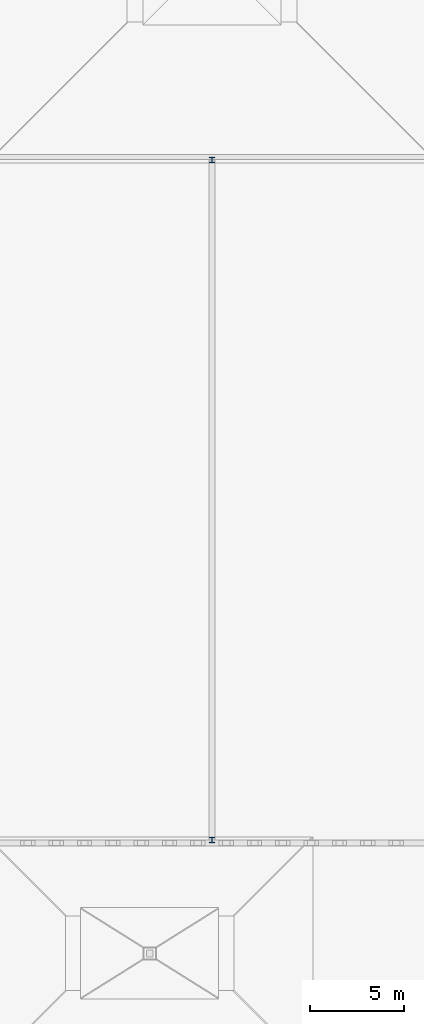
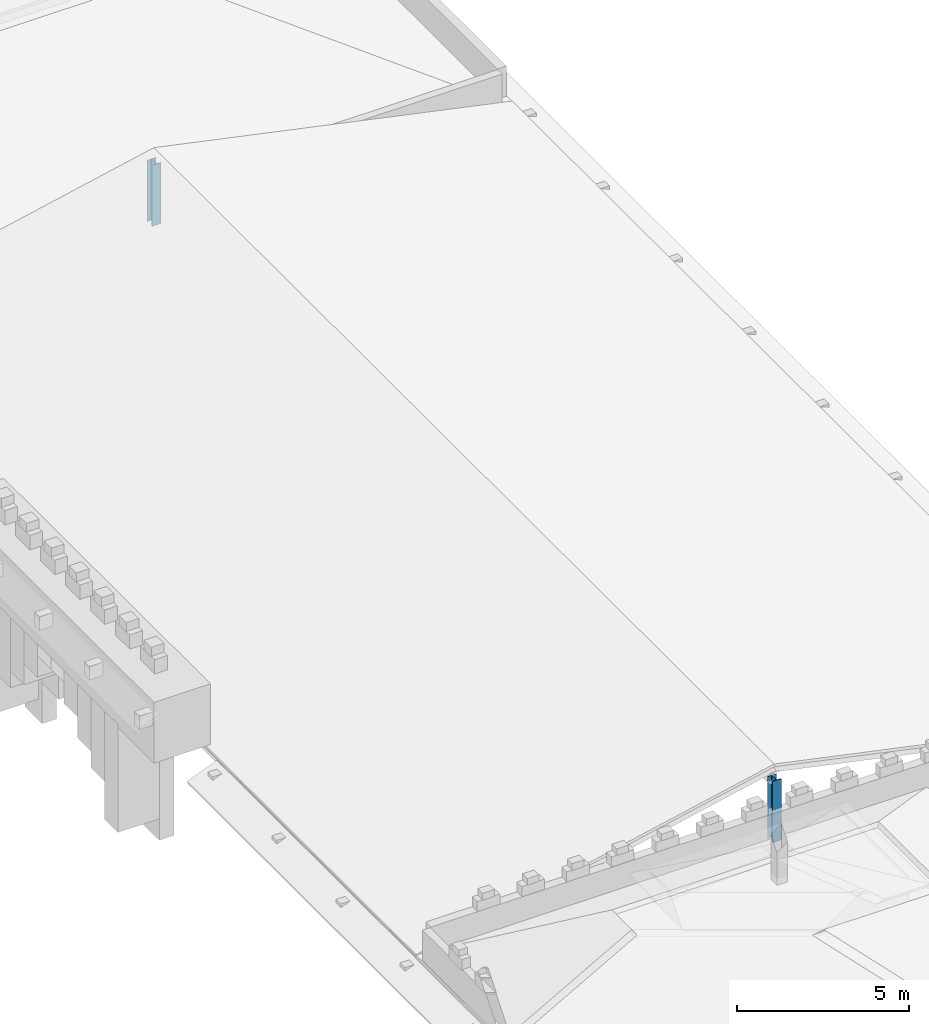
# One storey, part 1 of 83: 2 columns.
"""IFC4 building model written with IfcOpenShell, lengths in metres."""

from ifc_helpers import new_model, si_unit, direction, frame, origin, origin_2d, place, context, subcontext, project, spatial, i_section, extrude, material, material_profile, profile_set, type_object, element, save


model = new_model("IFC4")

# Units and contexts
model_context = context("Model", 3, precision=1e-05, world=origin(), true_north=direction((0.0, 1.0)))
body_context = subcontext(model_context, "Body", "Model", "MODEL_VIEW")
ifc_project = project(units=[si_unit("LENGTHUNIT", "METRE"), si_unit("AREAUNIT", "SQUARE_METRE"), si_unit("VOLUMEUNIT", "CUBIC_METRE"), si_unit("PLANEANGLEUNIT", "RADIAN"), si_unit("MASSUNIT", "GRAM", prefix="KILO")], contexts=[model_context])

# Site, building, storey
site_placement = place(None, origin())
site = spatial("IfcSite", under=ifc_project, at=site_placement, CompositionType="ELEMENT")
building_placement = place(site_placement, origin())
building = spatial("IfcBuilding", under=site, at=building_placement, Name="Zlatogorsky Bluff Art Gallery", CompositionType="ELEMENT")
storey_placement = place(building_placement, frame((0.0, 0.0, 10.800048828125)))
storey = spatial("IfcBuildingStorey", under=building, at=storey_placement, Name="L02", CompositionType="ELEMENT", Elevation=10.800048828125)

# Columns
ifc_material = material(Name="Steel S355", Category="steel")
ifc_material_profile = material_profile(ifc_material, i_section(OverallWidth=0.300048828125, OverallDepth=0.300048828125, WebThickness=0.010986328125, FlangeThickness=0.01904296875, FilletRadius=0.027099609375, at=origin_2d()), Name="HEB 300")
ifc_profile_set = profile_set([ifc_material_profile], Name="Steel S355")
column_type = type_object("IfcColumnType", Name="Column CL-06 HEB 300", PredefinedType="COLUMN", material=ifc_profile_set)
for number, where, z_axis, x_axis, name in (
    (1, (12.0, 26.39990234375, 0.0), (0.0, 0.0, 1.0), (1.0, 0.0, 0.0), "Auditorium gable ridge column S"),
    (2, (12.0, 62.39990234375, 0.0), (0.0, 0.0, 1.0), (1.0, 0.0, 0.0), "Auditorium gable ridge column N"),
):
    element("IfcColumn", number, at=place(storey_placement, frame(where, z_axis=z_axis, x_axis=x_axis)), inside=storey, type_object=column_type, Name=name, PredefinedType="COLUMN", context=body_context, shape_type="SweptSolid", body=[
        extrude(i_section(OverallWidth=0.300048828125, OverallDepth=0.300048828125, WebThickness=0.010986328125, FlangeThickness=0.01904296875, FilletRadius=0.027099609375, at=origin_2d()), origin(), (0.0, 0.0, 1.0), 2.170654296875),
    ])

save(model, "model.ifc")
